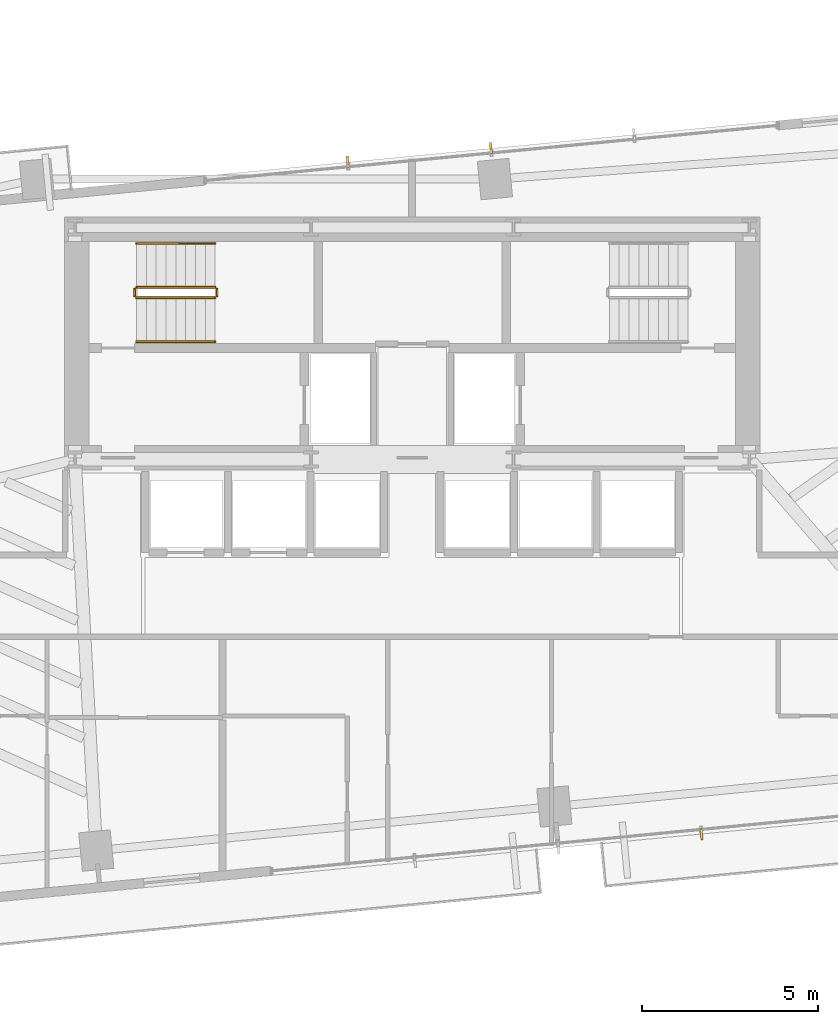
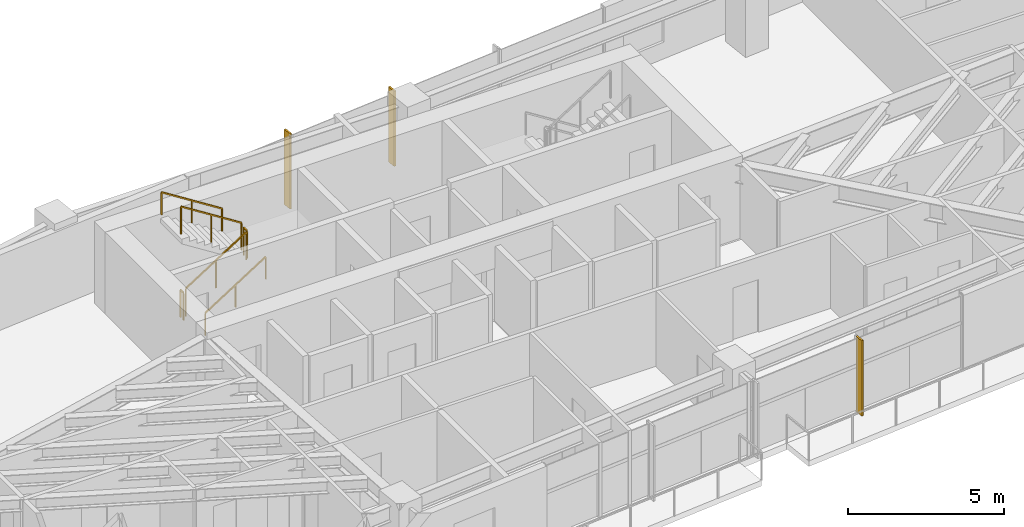
# One storey, part 24 of 25: 6 railings, 3 shading devices.
"""IFC4 building model written with IfcOpenShell, lengths in metres."""

import ifcopenshell
import ifcopenshell.guid

model = None  # the IFC model being written
_history = None  # IfcOwnerHistory: only IFC2X3 demands one
_inside = {}  # id of a spatial element -> (the spatial element, [elements in it])
_under = {}  # id of a project, library or spatial element -> (it, [spatial elements below it])
_declared = {}  # id of a project -> (the project, [libraries it declares])
_typed = {}  # id of a type object -> (the type object, [elements of that type])
_made_of = {}  # id of a material, layer set ... -> (it, [elements and type objects made of it])


def new_model(schema):
    """Start an empty IFC model of exactly this schema.

    Asked for "IFC4X3", IfcOpenShell would pick the latest addendum, in which some entities
    have other attributes; the version numbers below select the first issue.
    IFC2X3 requires an IfcOwnerHistory on every rooted entity: one is made here for all.
    """
    global model, _history
    if schema == "IFC4X3":
        model = ifcopenshell.file(schema_version=(4, 3, 0, 0))
    else:
        model = ifcopenshell.file(schema=schema)
    _inside.clear()
    _under.clear()
    _declared.clear()
    _typed.clear()
    _made_of.clear()
    _history = None
    if model.schema == "IFC2X3":
        org = make("IfcOrganization", Name="unknown")
        user = make(
            "IfcPersonAndOrganization",
            ThePerson=make("IfcPerson", FamilyName="unknown"),
            TheOrganization=org,
        )
        app = make(
            "IfcApplication",
            ApplicationDeveloper=org,
            Version="unknown",
            ApplicationFullName="unknown",
            ApplicationIdentifier="unknown",
        )
        _history = make(
            "IfcOwnerHistory",
            OwningUser=user,
            OwningApplication=app,
            ChangeAction="ADDED",
            CreationDate=0,
        )
    return model


def make(cls, **values):
    """One entity of the class cls with the attributes given. An attribute that is None is left unset."""
    return model.create_entity(
        cls, **{name: value for name, value in values.items() if value is not None}
    )


def rooted(cls, **values):
    """An entity with a GlobalId (a new one), such as an element, a storey or a relation."""
    return make(cls, GlobalId=ifcopenshell.guid.new(), OwnerHistory=_history, **values)


def si_unit(unit_type, name, prefix=None):
    """IfcSIUnit, for example si_unit("LENGTHUNIT", "METRE", prefix="MILLI")."""
    return make("IfcSIUnit", UnitType=unit_type, Prefix=prefix, Name=name)


def assignment(units):
    """IfcUnitAssignment: the units of a project."""
    return None if units is None else make("IfcUnitAssignment", Units=units)


def point(xyz):
    """IfcCartesianPoint."""
    return None if xyz is None else make("IfcCartesianPoint", Coordinates=xyz)


def direction(xyz):
    """IfcDirection."""
    return None if xyz is None else make("IfcDirection", DirectionRatios=xyz)


def frame(location, z_axis=None, x_axis=None):
    """IfcAxis2Placement3D, a coordinate frame: its origin and axes. An axis left out is left unset."""
    return make(
        "IfcAxis2Placement3D",
        Location=point(location),
        Axis=direction(z_axis),
        RefDirection=direction(x_axis),
    )


def frame_2d(location, x_axis=None):
    """IfcAxis2Placement2D, a coordinate frame in the plane: its origin and x axis."""
    return make(
        "IfcAxis2Placement2D", Location=point(location), RefDirection=direction(x_axis)
    )


def origin():
    """The frame at (0, 0, 0) with its axes left unset."""
    return frame((0.0, 0.0, 0.0))


def origin_2d():
    """The frame at (0, 0) in the plane with its x axis left unset."""
    return frame_2d((0.0, 0.0))


def place(relative_to, where):
    """IfcLocalPlacement: puts the frame where relative to a parent placement (None: the world)."""
    return make(
        "IfcLocalPlacement", PlacementRelTo=relative_to, RelativePlacement=where
    )


def context(
    kind, dimensions, precision=None, world=None, true_north=None, identifier=None
):
    """IfcGeometricRepresentationContext, for example the 3D "Model" context."""
    return make(
        "IfcGeometricRepresentationContext",
        ContextIdentifier=identifier,
        ContextType=kind,
        CoordinateSpaceDimension=dimensions,
        Precision=precision,
        WorldCoordinateSystem=world,
        TrueNorth=true_north,
    )


def subcontext(parent, identifier, kind, view, scale=None):
    """IfcGeometricRepresentationSubContext, for example "Body" below "Model"."""
    return make(
        "IfcGeometricRepresentationSubContext",
        ContextIdentifier=identifier,
        ContextType=kind,
        ParentContext=parent,
        TargetScale=scale,
        TargetView=view,
    )


def project(units=None, contexts=None):
    """IfcProject with its units and contexts."""
    return rooted(
        "IfcProject",
        Name="project",
        RepresentationContexts=contexts,
        UnitsInContext=assignment(units),
    )


def spatial(cls, under=None, at=None, **own):
    """A site, building, storey or space (cls), placed at a placement, below another one or the project."""
    s = rooted(cls, ObjectPlacement=at, **own)
    if under is not None:
        _under.setdefault(under.id(), (under, []))[1].append(s)
    return s


def profile(cls, at=None, kind="AREA", **sizes):
    """A parametric profile (cls). Its sizes go by their IFC names, for example OverallWidth=200.0."""
    return make(cls, ProfileType=kind, Position=at, **sizes)


def rectangle(**sizes):
    """IfcRectangleProfileDef."""
    return profile("IfcRectangleProfileDef", **sizes)


def extrude(swept, where, along, depth):
    """IfcExtrudedAreaSolid: the profile swept, set in the frame where, extruded along a direction by depth."""
    return make(
        "IfcExtrudedAreaSolid",
        SweptArea=swept,
        Position=where,
        ExtrudedDirection=direction(along),
        Depth=depth,
    )


def shape(context_of_items, identifier, shape_type, items):
    """IfcShapeRepresentation: the items that make up one representation, for example the "Body"."""
    return make(
        "IfcShapeRepresentation",
        ContextOfItems=context_of_items,
        RepresentationIdentifier=identifier,
        RepresentationType=shape_type,
        Items=items,
    )


def source(mapping_origin, context_of_items, identifier, shape_type, items):
    """IfcRepresentationMap: a shape defined once, which mapped items show again and again."""
    return make(
        "IfcRepresentationMap",
        MappingOrigin=mapping_origin,
        MappedRepresentation=shape(context_of_items, identifier, shape_type, items),
    )


def transform(
    local_origin,
    x_axis=None,
    y_axis=None,
    z_axis=None,
    scale=None,
    scale2=None,
    scale3=None,
    uniform=True,
):
    """IfcCartesianTransformationOperator3D, or its non-uniform kind. x_axis, y_axis, z_axis: its Axis1, 2, 3."""
    if uniform:
        return make(
            "IfcCartesianTransformationOperator3D",
            Axis1=direction(x_axis),
            Axis2=direction(y_axis),
            LocalOrigin=point(local_origin),
            Scale=scale,
            Axis3=direction(z_axis),
        )
    return make(
        "IfcCartesianTransformationOperator3DnonUniform",
        Axis1=direction(x_axis),
        Axis2=direction(y_axis),
        LocalOrigin=point(local_origin),
        Scale=scale,
        Axis3=direction(z_axis),
        Scale2=scale2,
        Scale3=scale3,
    )


def mapped(mapping_source, mapping_target):
    """IfcMappedItem: shows the shape of a source again, moved by a transform."""
    return make(
        "IfcMappedItem", MappingSource=mapping_source, MappingTarget=mapping_target
    )


def material(Name=None, Category=None):
    """IfcMaterial."""
    return make("IfcMaterial", Name=Name, Category=Category)


def made_of(thing, what):
    """Note that an element or type object is made of a material, layer set ...; save() writes the relation."""
    if what is not None:
        _made_of.setdefault(what.id(), (what, []))[1].append(thing)
    return thing


def type_object(cls, material=None, **own):
    """A type object (cls), such as IfcWallType, which elements share."""
    return made_of(rooted(cls, **own), material)


def type_shapes(of_type, sources):
    """Give a type object the sources (RepresentationMaps) that its elements show as mapped items."""
    of_type.RepresentationMaps = sources


def element(
    cls,
    number,
    at=None,
    inside=None,
    cuts=None,
    type_object=None,
    material=None,
    context=None,
    identifier="Body",
    shape_type=None,
    held_by="IfcProductDefinitionShape",
    body=None,
    shapes=None,
    **own,
):
    """One element of the class cls, such as IfcWall. Its Tag is "e" and its number.

    at: its placement. inside: the storey or other place that contains it. cuts: it is an
    opening in that element (IfcRelVoidsElement). A single representation is given by context,
    identifier, shape_type and body (its items); several are given by shapes. held_by: the class
    of the entity that holds the representations. save() writes the other relations.
    """
    e = rooted(cls, Tag="e%d" % number, ObjectPlacement=at, **own)
    if body is not None:
        shapes = [shape(context, identifier, shape_type, body)]
    if shapes is not None:
        e.Representation = make(held_by, Representations=shapes)
    if inside is not None:
        _inside.setdefault(inside.id(), (inside, []))[1].append(e)
    if cuts is not None:
        rooted(
            "IfcRelVoidsElement", RelatingBuildingElement=cuts, RelatedOpeningElement=e
        )
    if type_object is not None:
        _typed.setdefault(type_object.id(), (type_object, []))[1].append(e)
    return made_of(e, material)


def aggregate(whole, parts):
    """IfcRelAggregates: a whole, such as a stair, and the parts it consists of."""
    return rooted("IfcRelAggregates", RelatingObject=whole, RelatedObjects=parts)


def save(model, path):
    """Write the relations noted so far, then the file.

    IfcRelAggregates (storeys below a building ...), IfcRelContainedInSpatialStructure (elements
    in a storey), IfcRelDefinesByType, IfcRelAssociatesMaterial and IfcRelDeclares: one each for
    every whole, place, type object, material and project.
    """
    for whole, parts in _under.values():
        aggregate(whole, parts)
    for where, things in _inside.values():
        rooted(
            "IfcRelContainedInSpatialStructure",
            RelatedElements=things,
            RelatingStructure=where,
        )
    for kind, things in _typed.values():
        rooted("IfcRelDefinesByType", RelatedObjects=things, RelatingType=kind)
    for what, things in _made_of.values():
        rooted("IfcRelAssociatesMaterial", RelatedObjects=things, RelatingMaterial=what)
    for by, libraries in _declared.values():
        rooted("IfcRelDeclares", RelatingContext=by, RelatedDefinitions=libraries)
    model.write(path)


model = new_model("IFC4")

# Units and contexts
model_context = context("Model", 3, precision=1e-05, world=origin(), true_north=direction((0.0, 1.0)))
body_context = subcontext(model_context, "Body", "Model", "MODEL_VIEW")
ifc_project = project(units=[si_unit("LENGTHUNIT", "METRE"), si_unit("AREAUNIT", "SQUARE_METRE"), si_unit("VOLUMEUNIT", "CUBIC_METRE"), si_unit("PLANEANGLEUNIT", "RADIAN"), si_unit("MASSUNIT", "GRAM", prefix="KILO")], contexts=[model_context])

# Site, building, storey
site_placement = place(None, origin())
site = spatial("IfcSite", under=ifc_project, at=site_placement, CompositionType="ELEMENT")
building_placement = place(site_placement, origin())
building = spatial("IfcBuilding", under=site, at=building_placement, Name="Astriad Promenade Condominiums", CompositionType="ELEMENT")
storey_placement = place(building_placement, frame((0.0, 0.0, 81.0)))
storey = spatial("IfcBuildingStorey", under=building, at=storey_placement, Name="L22", CompositionType="ELEMENT", Elevation=81.0)

# Shading devices
ifc_material_1 = material(Name="Anodised aluminium 6063-T6 Black Fin", Category="aluminium")
shading_device_type = type_object("IfcShadingDeviceType", Name="FIN-BLACK-320", PredefinedType="USERDEFINED", material=ifc_material_1)
shared_shape_1 = source(origin(), body_context, "Body", "SweptSolid", [
    extrude(rectangle(XDim=0.06494140625, YDim=0.320068359375, at=origin_2d()), origin(), (0.0, 0.0, 1.0), 2.93994140625),
])
type_shapes(shading_device_type, [shared_shape_1])
for number, where, z_axis, x_axis, name in (
    (1, (34.164306640625, 25.87158203125, 0.0), (0.0, 0.0, 1.0), (0.995396198367, 0.09584575252, 0.0), "CW-L22-N-FIN-01"),
    (2, (38.240478515625, 26.263916015625, 0.0), (0.0, 0.0, 1.0), (0.995396198367, 0.09584575252, 0.0), "CW-L22-N-FIN-02"),
    (3, (44.235595703125, 6.728515625, 0.0), (0.0, 0.0, 1.0), (-0.995396198367, -0.09584575252, 0.0), "CW-L22-S-FIN-01"),
):
    element("IfcShadingDevice", number, at=place(storey_placement, frame(where, z_axis=z_axis, x_axis=x_axis)), inside=storey, type_object=shading_device_type, Name=name, ObjectType="FIN", PredefinedType="USERDEFINED", context=body_context, shape_type="MappedRepresentation", body=[
        mapped(shared_shape_1, transform((0.0, 0.0, 0.0), scale=1.0)),
    ])

# Railings
ifc_material_2 = material(Name="Painted Galvanised Steel Guardrail", Category="steel")
railing_type_1 = type_object("IfcRailingType", Name="GRD-STAIR-1100", PredefinedType="GUARDRAIL", material=ifc_material_2)
shared_shape_2 = source(origin(), body_context, "Body", "SweptSolid", [
    extrude(rectangle(XDim=0.048095703125, YDim=0.048095703125, at=origin_2d()), frame((0.0, 0.0, 1.076171875), z_axis=(0.0, 1.0, 0.0), x_axis=(-1.0, 0.0, 0.0)), (0.0, 0.0, 1.0), 0.199951171875),
    extrude(rectangle(XDim=0.0419921875, YDim=0.0419921875, at=origin_2d()), origin(), (0.0, 0.0, 1.0), 1.052001953125),
    extrude(rectangle(XDim=0.0419921875, YDim=0.0419921875, at=origin_2d()), frame((0.0, 0.199951171875, 0.0)), (0.0, 0.0, 1.0), 1.052001953125),
])
for number, where, name in (
    (4, (30.43994140625, 22.050048828125, 1.60009765625), "L22 ST-1 stair guard 2"),
    (5, (28.10009765625, 22.050048828125, 0.0), "L22 ST-1 stair guard 4"),
):
    element("IfcRailing", number, at=place(storey_placement, frame(where)), inside=storey, type_object=railing_type_1, Name=name, PredefinedType="GUARDRAIL", context=body_context, shape_type="MappedRepresentation", body=[
        mapped(shared_shape_2, transform((0.0, 0.0, 0.0), scale=1.0)),
    ])
shared_shape_3 = source(origin(), body_context, "Body", "SweptSolid", [
    extrude(rectangle(XDim=0.048095703125, YDim=0.048095703125, at=origin_2d()), frame((0.0, 0.0, 1.076171875), z_axis=(0.84418770128, 0.0, 0.536047689118), x_axis=(0.0, 1.0, 0.0)), (0.0, 0.0, 1.0), 2.6533203125),
    extrude(rectangle(XDim=0.0419921875, YDim=0.0419921875, at=origin_2d()), origin(), (0.0, 0.0, 1.0), 1.052001953125),
    extrude(rectangle(XDim=0.0419921875, YDim=0.0419921875, at=origin_2d()), frame((1.1201171875, 0.0, 0.711181640625)), (0.0, 0.0, 1.0), 1.052001953125),
    extrude(rectangle(XDim=0.0419921875, YDim=0.0419921875, at=origin_2d()), frame((2.239990234375, 0.0, 1.42236328125)), (0.0, 0.0, 1.0), 1.052001953125),
])
railing_1_placement = place(storey_placement, frame((28.14990234375, 22.0, 0.177734375)))
element("IfcRailing", 6, at=railing_1_placement, inside=storey, type_object=railing_type_1, Name="L22 ST-1 stair guard 1", PredefinedType="GUARDRAIL", context=body_context, shape_type="MappedRepresentation", body=[
    mapped(shared_shape_3, transform((0.0, 0.0, 0.0), scale=1.0)),
])
shared_shape_4 = source(origin(), body_context, "Body", "SweptSolid", [
    extrude(rectangle(XDim=0.048095703125, YDim=0.048095703125, at=origin_2d()), frame((0.0, 0.0, 1.076171875), z_axis=(-0.8442293374, 0.0, 0.53598211339), x_axis=(0.0, -1.0, 0.0)), (0.0, 0.0, 1.0), 2.6533203125),
    extrude(rectangle(XDim=0.0419921875, YDim=0.0419921875, at=origin_2d()), origin(), (0.0, 0.0, 1.0), 1.052001953125),
    extrude(rectangle(XDim=0.0419921875, YDim=0.0419921875, at=origin_2d()), frame((-1.1201171875, 0.0, 0.7109375)), (0.0, 0.0, 1.0), 1.052001953125),
    extrude(rectangle(XDim=0.0419921875, YDim=0.0419921875, at=origin_2d()), frame((-2.239990234375, 0.0, 1.422119140625)), (0.0, 0.0, 1.0), 1.052001953125),
])
type_shapes(railing_type_1, [shared_shape_2, shared_shape_3, shared_shape_4])
railing_2_placement = place(storey_placement, frame((30.389892578125, 22.300048828125, 1.77783203125)))
element("IfcRailing", 7, at=railing_2_placement, inside=storey, type_object=railing_type_1, Name="L22 ST-1 stair guard 3", PredefinedType="GUARDRAIL", context=body_context, shape_type="MappedRepresentation", body=[
    mapped(shared_shape_4, transform((0.0, 0.0, 0.0), scale=1.0)),
])
ifc_material_3 = material(Name="Brushed Stainless Steel Handrail", Category="steel")
railing_type_2 = type_object("IfcRailingType", Name="HRL-STAIR-920", PredefinedType="HANDRAIL", material=ifc_material_3)
shared_shape_5 = source(origin(), body_context, "Body", "SweptSolid", [
    extrude(rectangle(XDim=0.048095703125, YDim=0.048095703125, at=origin_2d()), frame((0.0, 0.0, 0.8759765625), z_axis=(0.84418770128, 0.0, 0.536047689118), x_axis=(0.0, 1.0, 0.0)), (0.0, 0.0, 1.0), 2.6533203125),
    extrude(rectangle(XDim=0.0419921875, YDim=0.0419921875, at=origin_2d()), origin(), (0.0, 0.0, 1.0), 0.851806640625),
    extrude(rectangle(XDim=0.0419921875, YDim=0.0419921875, at=origin_2d()), frame((1.1201171875, 0.0, 0.711181640625)), (0.0, 0.0, 1.0), 0.851806640625),
    extrude(rectangle(XDim=0.0419921875, YDim=0.0419921875, at=origin_2d()), frame((2.239990234375, 0.0, 1.42236328125)), (0.0, 0.0, 1.0), 0.851806640625),
])
railing_3_placement = place(storey_placement, frame((28.14990234375, 20.75, 0.177734375)))
element("IfcRailing", 8, at=railing_3_placement, inside=storey, type_object=railing_type_2, Name="L22 ST-1 stair handrail 1", PredefinedType="HANDRAIL", context=body_context, shape_type="MappedRepresentation", body=[
    mapped(shared_shape_5, transform((0.0, 0.0, 0.0), scale=1.0)),
])
shared_shape_6 = source(origin(), body_context, "Body", "SweptSolid", [
    extrude(rectangle(XDim=0.048095703125, YDim=0.048095703125, at=origin_2d()), frame((0.0, 0.0, 0.8759765625), z_axis=(-0.8442293374, 0.0, 0.53598211339), x_axis=(0.0, -1.0, 0.0)), (0.0, 0.0, 1.0), 2.6533203125),
    extrude(rectangle(XDim=0.0419921875, YDim=0.0419921875, at=origin_2d()), origin(), (0.0, 0.0, 1.0), 0.851806640625),
    extrude(rectangle(XDim=0.0419921875, YDim=0.0419921875, at=origin_2d()), frame((-1.1201171875, 0.0, 0.7109375)), (0.0, 0.0, 1.0), 0.851806640625),
    extrude(rectangle(XDim=0.0419921875, YDim=0.0419921875, at=origin_2d()), frame((-2.239990234375, 0.0, 1.422119140625)), (0.0, 0.0, 1.0), 0.851806640625),
])
type_shapes(railing_type_2, [shared_shape_5, shared_shape_6])
railing_4_placement = place(storey_placement, frame((30.389892578125, 23.550048828125, 1.77783203125)))
element("IfcRailing", 9, at=railing_4_placement, inside=storey, type_object=railing_type_2, Name="L22 ST-1 stair handrail 2", PredefinedType="HANDRAIL", context=body_context, shape_type="MappedRepresentation", body=[
    mapped(shared_shape_6, transform((0.0, 0.0, 0.0), scale=1.0)),
])

save(model, "model.ifc")
